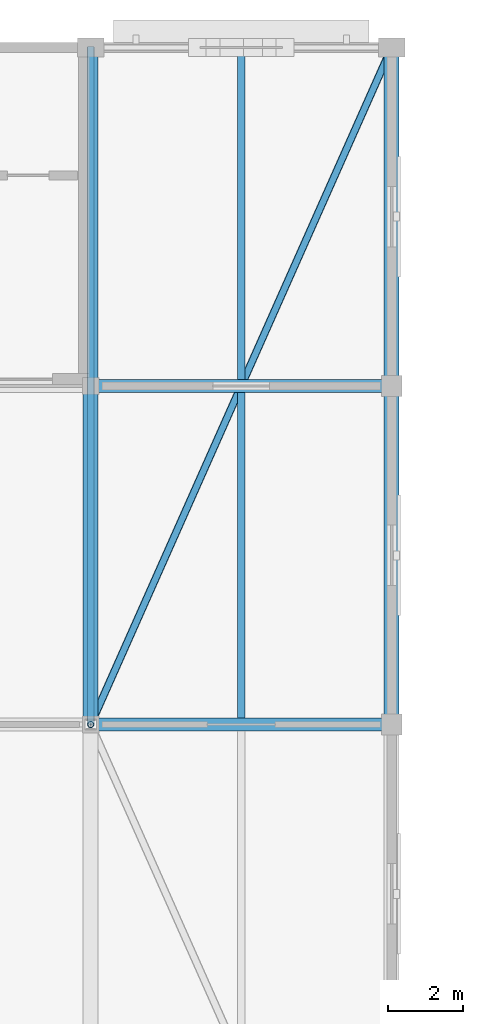
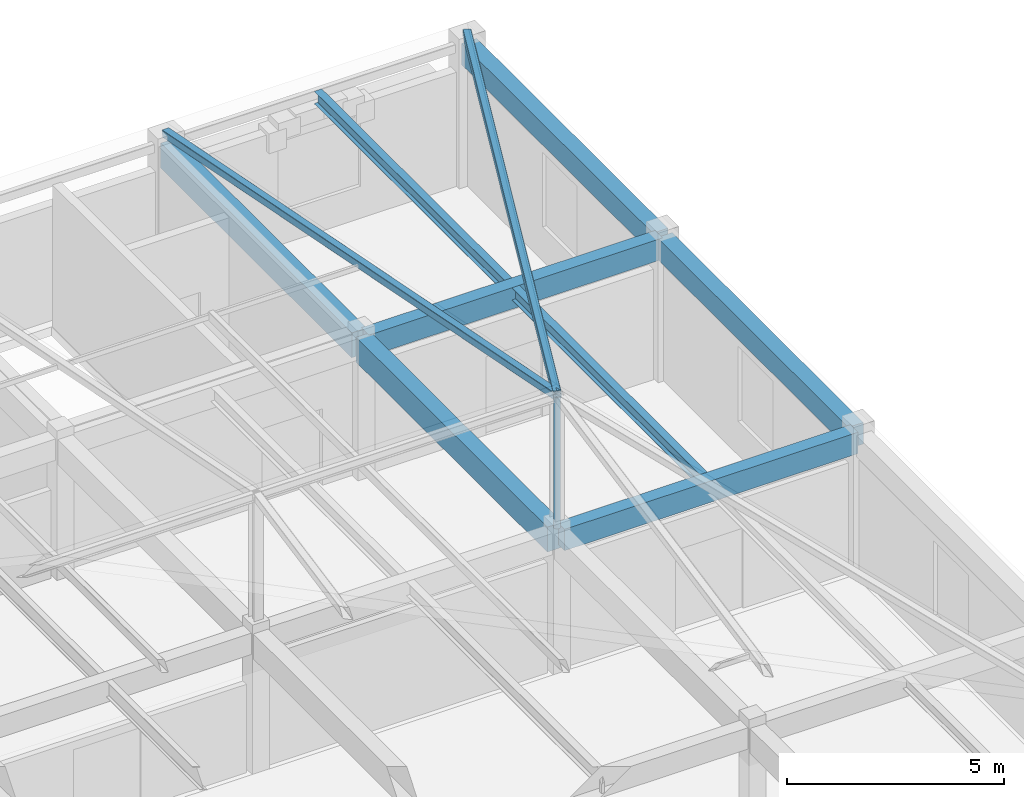
# One storey, part 76 of 126: 8 beams, 3 members.
"""IFC4 building model written with IfcOpenShell, lengths in metres."""

from ifc_helpers import new_model, si_unit, direction, frame, origin, origin_2d, place, context, subcontext, project, spatial, rectangle, hollow_rectangle, hollow_circle, i_section, extrude, material, material_profile, profile_set, type_object, element, save


model = new_model("IFC4")

# Units and contexts
model_context = context("Model", 3, precision=1e-05, world=origin(), true_north=direction((0.0, 1.0)))
body_context = subcontext(model_context, "Body", "Model", "MODEL_VIEW")
ifc_project = project(units=[si_unit("LENGTHUNIT", "METRE"), si_unit("AREAUNIT", "SQUARE_METRE"), si_unit("VOLUMEUNIT", "CUBIC_METRE"), si_unit("PLANEANGLEUNIT", "RADIAN"), si_unit("MASSUNIT", "GRAM", prefix="KILO")], contexts=[model_context])

# Site, building, storey
site_placement = place(None, origin())
site = spatial("IfcSite", under=ifc_project, at=site_placement, CompositionType="ELEMENT")
building_placement = place(site_placement, origin())
building = spatial("IfcBuilding", under=site, at=building_placement, Name="Varnabhumi Central Station", CompositionType="ELEMENT")
storey_placement = place(building_placement, frame((0.0, 0.0, 16.199951171875)))
storey = spatial("IfcBuildingStorey", under=building, at=storey_placement, Name="L03", CompositionType="ELEMENT", Elevation=16.199951171875)

# Beams
ifc_material_1 = material(Name="Concrete M40", Category="concrete")
ifc_material_profile_1 = material_profile(ifc_material_1, rectangle(XDim=0.35009765625, YDim=0.60009765625, at=origin_2d()), Name="Concrete M40", Category="concrete")
ifc_profile_set_1 = profile_set([ifc_material_profile_1], Name="Concrete M40")
beam_type_1 = type_object("IfcBeamType", Name="BM-RC-350x600", PredefinedType="BEAM", material=ifc_profile_set_1)
for number, where, z_axis, x_axis, name in (
    (1, (136.10009765625, 98.0, 3.650146484375), (1.0, 0.0, 0.0), (0.0, 1.0, 0.0), "Beam L03-M:18-19"),
    (2, (136.10009765625, 107.0, 3.650146484375), (1.0, 0.0, 0.0), (0.0, 1.0, 0.0), "Beam L03-N:18-19"),
):
    element("IfcBeam", number, at=place(storey_placement, frame(where, z_axis=z_axis, x_axis=x_axis)), inside=storey, type_object=beam_type_1, Name=name, PredefinedType="BEAM", context=body_context, shape_type="SweptSolid", body=[
        extrude(rectangle(XDim=0.35009765625, YDim=0.60009765625, at=origin_2d()), origin(), (0.0, 0.0, 1.0), 7.7998046875),
    ])
ifc_material_profile_2 = material_profile(ifc_material_1, rectangle(XDim=0.39990234375, YDim=0.60009765625, at=origin_2d()), Name="Concrete M40", Category="concrete")
ifc_profile_set_2 = profile_set([ifc_material_profile_2], Name="Concrete M40")
beam_type_2 = type_object("IfcBeamType", Name="BM-RC-400x600", PredefinedType="BEAM", material=ifc_profile_set_2)
for number, where, z_axis, x_axis, name in (
    (3, (144.0, 98.10009765625, 3.650146484375), (0.0, 1.0, 0.0), (-1.0, 0.0, 0.0), "Beam L03-19:M-N"),
    (4, (144.0, 107.10009765625, 3.650146484375), (0.0, 1.0, 0.0), (-1.0, 0.0, 0.0), "Beam L03-19:N-P"),
):
    element("IfcBeam", number, at=place(storey_placement, frame(where, z_axis=z_axis, x_axis=x_axis)), inside=storey, type_object=beam_type_2, Name=name, PredefinedType="BEAM", context=body_context, shape_type="SweptSolid", body=[
        extrude(rectangle(XDim=0.39990234375, YDim=0.60009765625, at=origin_2d()), origin(), (0.0, 0.0, 1.0), 8.7998046875),
    ])
ifc_material_profile_3 = material_profile(ifc_material_1, rectangle(XDim=0.39990234375, YDim=0.699951171875, at=origin_2d()), Name="Concrete M40", Category="concrete")
ifc_profile_set_3 = profile_set([ifc_material_profile_3], Name="Concrete M40")
beam_type_3 = type_object("IfcBeamType", Name="BM-RC-700x400", PredefinedType="BEAM", material=ifc_profile_set_3)
for number, where, z_axis, x_axis, name in (
    (5, (136.0, 98.10009765625, 3.60009765625), (0.0, 1.0, 0.0), (-1.0, 0.0, 0.0), "Beam L03-18:M-N"),
    (6, (136.0, 107.10009765625, 3.60009765625), (0.0, 1.0, 0.0), (-1.0, 0.0, 0.0), "Beam L03-18:N-P"),
):
    element("IfcBeam", number, at=place(storey_placement, frame(where, z_axis=z_axis, x_axis=x_axis)), inside=storey, type_object=beam_type_3, Name=name, PredefinedType="BEAM", context=body_context, shape_type="SweptSolid", body=[
        extrude(rectangle(XDim=0.39990234375, YDim=0.699951171875, at=origin_2d()), origin(), (0.0, 0.0, 1.0), 8.7998046875),
    ])
ifc_material_2 = material(Name="Structural steel E350", Category="steel")
ifc_material_profile_4 = material_profile(ifc_material_2, i_section(OverallWidth=0.199951171875, OverallDepth=0.35009765625, WebThickness=0.008056640625, FlangeThickness=0.011474609375, FilletRadius=0.011962890625, at=origin_2d()), Name="Structural steel E350", Category="steel")
ifc_profile_set_4 = profile_set([ifc_material_profile_4], Name="Structural steel E350")
beam_type_4 = type_object("IfcBeamType", Name="BM-STL-ISWB350", PredefinedType="JOIST", material=ifc_profile_set_4)
beam_1_placement = place(storey_placement, frame((140.0, 98.175048828125, 3.775146484375), z_axis=(0.0, 1.0, 0.0), x_axis=(-1.0, 0.0, 0.0)))
element("IfcBeam", 7, at=beam_1_placement, inside=storey, type_object=beam_type_4, Name="Secondary Joist L03-18/19:M-N", PredefinedType="JOIST", context=body_context, shape_type="SweptSolid", body=[
    extrude(i_section(OverallWidth=0.199951171875, OverallDepth=0.35009765625, WebThickness=0.008056640625, FlangeThickness=0.011474609375, FilletRadius=0.011962890625, at=origin_2d()), origin(), (0.0, 0.0, 1.0), 8.64990234375),
])
beam_2_placement = place(storey_placement, frame((140.0, 107.175048828125, 3.775146484375), z_axis=(0.0, 1.0, 0.0), x_axis=(-1.0, 0.0, 0.0)))
element("IfcBeam", 8, at=beam_2_placement, inside=storey, type_object=beam_type_4, Name="Secondary Joist L03-18/19:N-P", PredefinedType="JOIST", context=body_context, shape_type="SweptSolid", body=[
    extrude(i_section(OverallWidth=0.199951171875, OverallDepth=0.35009765625, WebThickness=0.008056640625, FlangeThickness=0.011474609375, FilletRadius=0.011962890625, at=origin_2d()), origin(), (0.0, 0.0, 1.0), 8.75),
])

# Members
ifc_material_profile_5 = material_profile(ifc_material_2, hollow_rectangle(XDim=0.199951171875, YDim=0.199951171875, WallThickness=0.010009765625, InnerFilletRadius=0.010009765625, OuterFilletRadius=0.02001953125, at=origin_2d()), Name="Structural steel E350", Category="steel")
ifc_profile_set_5 = profile_set([ifc_material_profile_5], Name="Structural steel E350")
member_type_1 = type_object("IfcMemberType", Name="MBR-RAFT-SHS200", PredefinedType="RAFTER", material=ifc_profile_set_5)
member_1_placement = place(storey_placement, frame((144.0, 116.0, 4.110107421875), z_axis=(-0.399698916942, -0.899322563119, 0.177368833961), x_axis=(0.91381154862, -0.406138466053, 0.0)))
element("IfcMember", 9, at=member_1_placement, inside=storey, type_object=member_type_1, Name="Mission Roof Hip Rafter NW4-WN", PredefinedType="RAFTER", context=body_context, shape_type="SweptSolid", body=[
    extrude(hollow_rectangle(XDim=0.199951171875, YDim=0.199951171875, WallThickness=0.010009765625, InnerFilletRadius=0.010009765625, OuterFilletRadius=0.02001953125, at=origin_2d()), origin(), (0.0, 0.0, 1.0), 20.01513671875),
])
member_2_placement = place(storey_placement, frame((136.0, 116.0, 4.110107421875), z_axis=(0.0, -0.981100761594, 0.193497533832), x_axis=(1.0, 0.0, 0.0)))
element("IfcMember", 10, at=member_2_placement, inside=storey, type_object=member_type_1, Name="Mission Roof North Rafter NW4-6", PredefinedType="RAFTER", context=body_context, shape_type="SweptSolid", body=[
    extrude(hollow_rectangle(XDim=0.199951171875, YDim=0.199951171875, WallThickness=0.010009765625, InnerFilletRadius=0.010009765625, OuterFilletRadius=0.02001953125, at=origin_2d()), origin(), (0.0, 0.0, 1.0), 18.3466796875),
])
ifc_material_profile_6 = material_profile(ifc_material_2, hollow_circle(Radius=0.084228515625, WallThickness=0.008056640625, at=origin_2d()), Name="Structural steel E350", Category="steel")
ifc_profile_set_6 = profile_set([ifc_material_profile_6], Name="Structural steel E350")
member_type_2 = type_object("IfcMemberType", Name="MBR-STRUT-CHS168", PredefinedType="STRUT", material=ifc_profile_set_6)
member_3_placement = place(storey_placement, frame((136.0, 98.0, 3.949951171875), z_axis=(0.0, 0.0, 1.0), x_axis=(1.0, 0.0, 0.0)))
element("IfcMember", 11, at=member_3_placement, inside=storey, type_object=member_type_2, Name="Mission Roof King Strut NW4-6", PredefinedType="STRUT", context=body_context, shape_type="SweptSolid", body=[
    extrude(hollow_circle(Radius=0.084228515625, WallThickness=0.008056640625, at=origin_2d()), origin(), (0.0, 0.0, 1.0), 3.68017578125),
])

save(model, "model.ifc")
